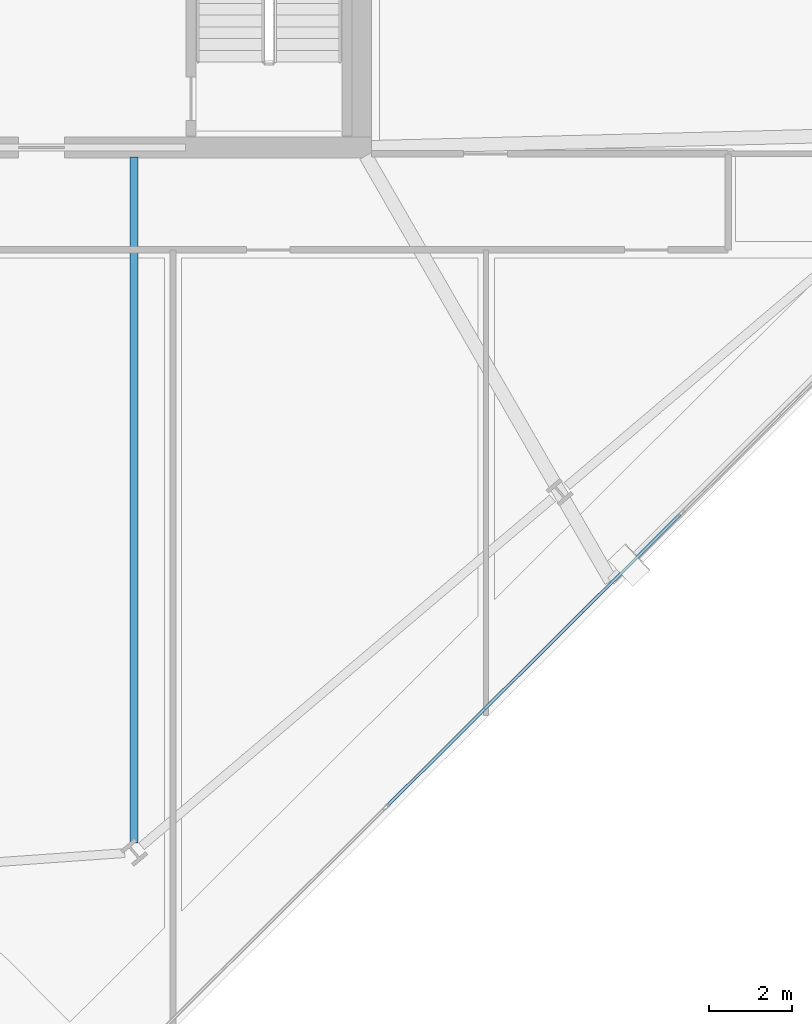
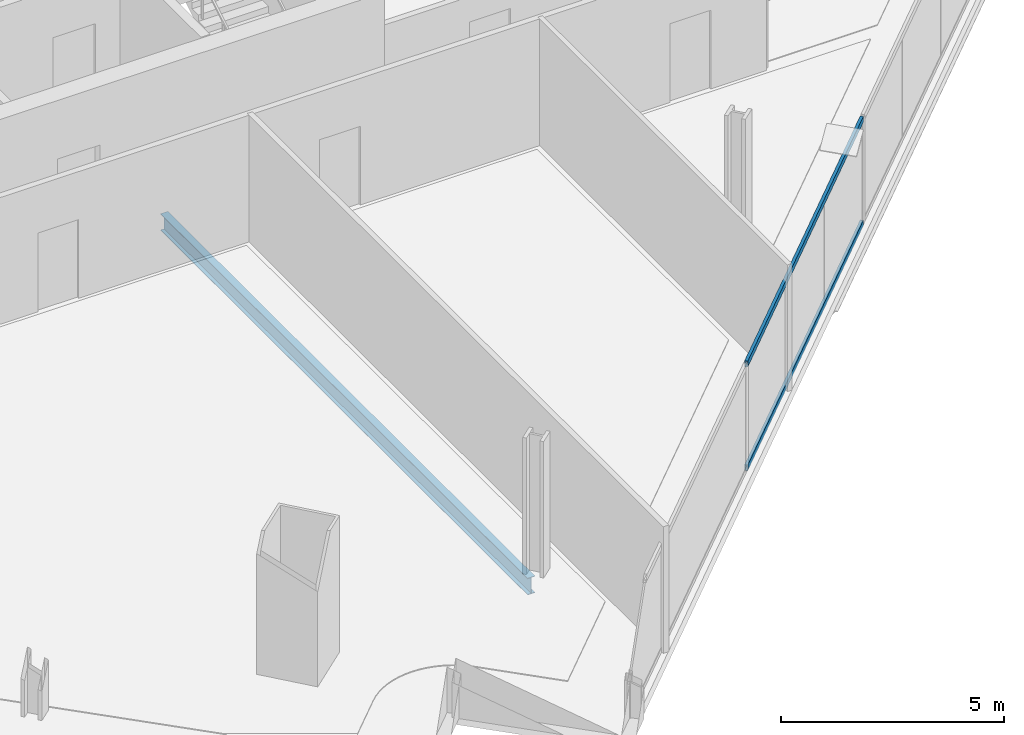
# One storey, part 7 of 32: 2 members, 1 beam, 1 element without a shape of its own.
"""IFC4 building model written with IfcOpenShell, lengths in metres."""

from ifc_helpers import new_model, si_unit, direction, frame, origin, origin_2d, place, context, subcontext, project, spatial, hollow_rectangle, i_section, extrude, material, material_profile, profile_set, type_object, element, aggregate, save


model = new_model("IFC4")

# Units and contexts
model_context = context("Model", 3, precision=1e-05, world=origin(), true_north=direction((0.0, 1.0)))
body_context = subcontext(model_context, "Body", "Model", "MODEL_VIEW")
ifc_project = project(units=[si_unit("LENGTHUNIT", "METRE"), si_unit("AREAUNIT", "SQUARE_METRE"), si_unit("VOLUMEUNIT", "CUBIC_METRE"), si_unit("PLANEANGLEUNIT", "RADIAN"), si_unit("MASSUNIT", "GRAM", prefix="KILO")], contexts=[model_context])

# Site, building, storey
site_placement = place(None, origin())
site = spatial("IfcSite", under=ifc_project, at=site_placement, CompositionType="ELEMENT")
building_placement = place(site_placement, origin())
building = spatial("IfcBuilding", under=site, at=building_placement, Name="Haldenkirk Collegiate Tower", CompositionType="ELEMENT")
storey_placement = place(building_placement, frame((0.0, 0.0, 178.199951171875)))
storey = spatial("IfcBuildingStorey", under=building, at=storey_placement, Name="L44", CompositionType="ELEMENT", Elevation=178.199951171875)

# Beam
ifc_material_1 = material(Name="Steel ASTM A992 Grade 50", Category="steel")
ifc_material_profile_1 = material_profile(ifc_material_1, i_section(OverallWidth=0.18994140625, OverallDepth=0.45703125, WebThickness=0.009033203125, FlangeThickness=0.014404296875, at=origin_2d()), Name="W18X50")
ifc_profile_set_1 = profile_set([ifc_material_profile_1], Name="Steel ASTM A992 Grade 50")
beam_type = type_object("IfcBeamType", Name="BM-JOIST-W18X50", PredefinedType="JOIST", material=ifc_profile_set_1)
beam_placement = place(storey_placement, frame((39.568603515625, 1.342529296875, -0.5185546875), z_axis=(0.0, 1.0, 0.0), x_axis=(-1.0, 0.0, 0.0)))
element("IfcBeam", 1, at=beam_placement, inside=storey, type_object=beam_type, Name="L44 composite floor joist 05", PredefinedType="JOIST", context=body_context, shape_type="SweptSolid", body=[
    extrude(i_section(OverallWidth=0.18994140625, OverallDepth=0.45703125, WebThickness=0.009033203125, FlangeThickness=0.014404296875, at=origin_2d()), origin(), (0.0, 0.0, 1.0), 16.427490234375),
])

# Curtain wall, members
ifc_material_2 = material(Name="Anodised architectural bronze aluminium", Category="aluminium")
curtain_wall_type = type_object("IfcCurtainWallType", Name="CW-SYS2-CONCAVE", PredefinedType="USERDEFINED", material=ifc_material_2)
curtain_wall_placement = place(storey_placement, origin())
curtain_wall = element("IfcCurtainWall", 2, at=curtain_wall_placement, inside=storey, type_object=curtain_wall_type, Name="L44 South concave recessed bronze-anodised curtain wall", ObjectType="UNITISED CURTAIN WALL", PredefinedType="USERDEFINED")
ifc_material_profile_2 = material_profile(ifc_material_2, hollow_rectangle(XDim=0.074951171875, YDim=0.159912109375, WallThickness=0.0048828125, at=origin_2d()), Name="CW-TRN-02")
ifc_profile_set_2 = profile_set([ifc_material_profile_2], Name="Anodised architectural bronze aluminium")
member_type = type_object("IfcMemberType", Name="CW-TRN-02", PredefinedType="USERDEFINED", material=ifc_profile_set_2)
member_1_placement = place(storey_placement, frame((52.649169921875, 9.210205078125, 0.03759765625), z_axis=(-0.708953935941, -0.705254788508, 0.0), x_axis=(0.705254788508, -0.708953935941, 0.0)))
member_1 = element("IfcMember", 3, at=member_1_placement, type_object=member_type, Name="CW-02 transom 3.1", ObjectType="TRANSOM", PredefinedType="USERDEFINED", context=body_context, shape_type="SweptSolid", body=[
    extrude(hollow_rectangle(XDim=0.074951171875, YDim=0.159912109375, WallThickness=0.0048828125, at=origin_2d()), origin(), (0.0, 0.0, 1.0), 9.89990234375),
])
member_2_placement = place(storey_placement, frame((52.649169921875, 9.210205078125, 2.87353515625), z_axis=(-0.708953935941, -0.705254788508, 0.0), x_axis=(0.705254788508, -0.708953935941, 0.0)))
member_2 = element("IfcMember", 4, at=member_2_placement, type_object=member_type, Name="CW-02 transom 3.2", ObjectType="TRANSOM", PredefinedType="USERDEFINED", context=body_context, shape_type="SweptSolid", body=[
    extrude(hollow_rectangle(XDim=0.074951171875, YDim=0.159912109375, WallThickness=0.0048828125, at=origin_2d()), origin(), (0.0, 0.0, 1.0), 9.89990234375),
])
aggregate(curtain_wall, [member_1, member_2])

save(model, "model.ifc")
